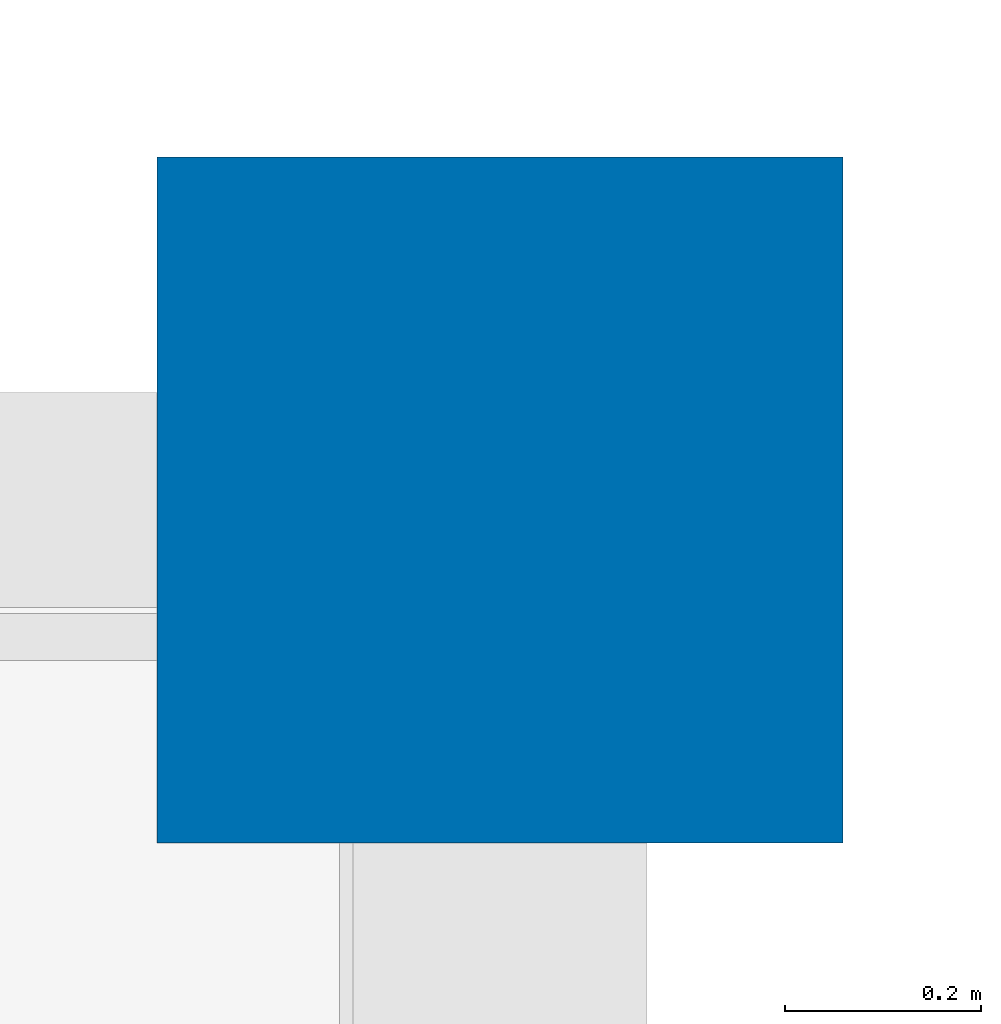
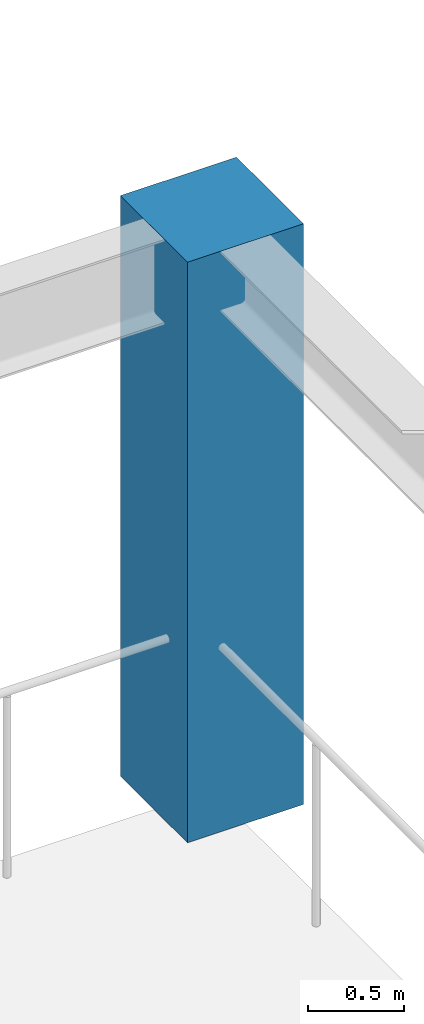
# One storey, part 9 of 25: 1 column.
"""IFC4 building model written with IfcOpenShell, lengths in metres."""

from ifc_helpers import new_model, si_unit, direction, frame, origin, origin_2d, place, context, subcontext, project, spatial, rectangle, extrude, material, material_profile, profile_set, type_object, element, save


model = new_model("IFC4")

# Units and contexts
model_context = context("Model", 3, precision=1e-05, world=origin(), true_north=direction((0.0, 1.0)))
body_context = subcontext(model_context, "Body", "Model", "MODEL_VIEW")
ifc_project = project(units=[si_unit("LENGTHUNIT", "METRE"), si_unit("AREAUNIT", "SQUARE_METRE"), si_unit("VOLUMEUNIT", "CUBIC_METRE"), si_unit("PLANEANGLEUNIT", "RADIAN"), si_unit("MASSUNIT", "GRAM", prefix="KILO")], contexts=[model_context])

# Site, building, storey
site_placement = place(None, origin())
site = spatial("IfcSite", under=ifc_project, at=site_placement, CompositionType="ELEMENT")
building_placement = place(site_placement, origin())
building = spatial("IfcBuilding", under=site, at=building_placement, Name="Zlatovratsky Civic Hall", CompositionType="ELEMENT")
storey_placement = place(building_placement, frame((0.0, 0.0, 21.0)))
storey = spatial("IfcBuildingStorey", under=building, at=storey_placement, Name="L05", CompositionType="ELEMENT", Elevation=21.0)

# Column
ifc_material = material(Name="Concrete C35/45 (B40)", Category="concrete")
ifc_material_profile = material_profile(ifc_material, rectangle(XDim=0.699951171875, YDim=0.699951171875, at=origin_2d()), Name="RC 700x700")
ifc_profile_set = profile_set([ifc_material_profile], Name="Concrete C35/45 (B40)")
column_type = type_object("IfcColumnType", Name="Col_CorePier_RC700", PredefinedType="COLUMN", material=ifc_profile_set)
column_placement = place(storey_placement, frame((132.0, 108.0, 0.0), z_axis=(0.0, 0.0, 1.0), x_axis=(1.0, 0.0, 0.0)))
element("IfcColumn", 1, at=column_placement, inside=storey, type_object=column_type, Name="CL-2017", PredefinedType="COLUMN", context=body_context, shape_type="SweptSolid", body=[
    extrude(rectangle(XDim=0.699951171875, YDim=0.699951171875, at=origin_2d()), origin(), (0.0, 0.0, 1.0), 3.699951171875),
])

save(model, "model.ifc")
